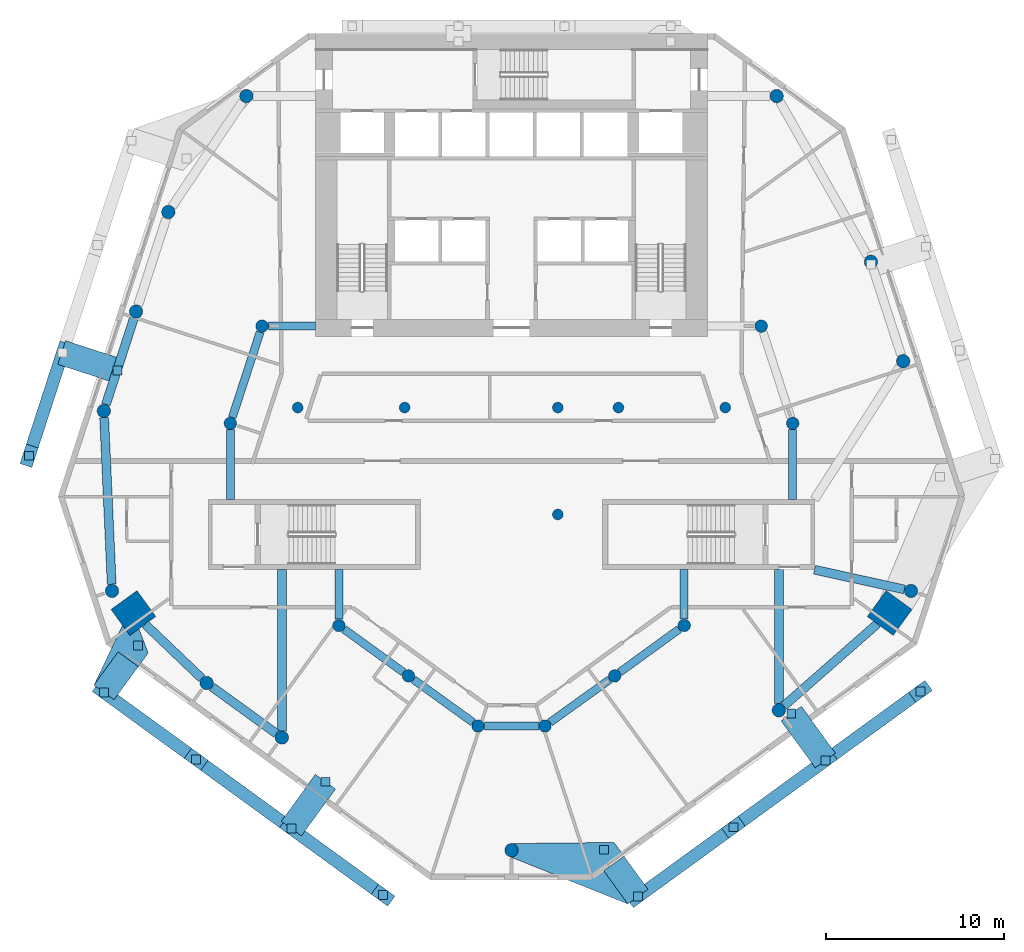
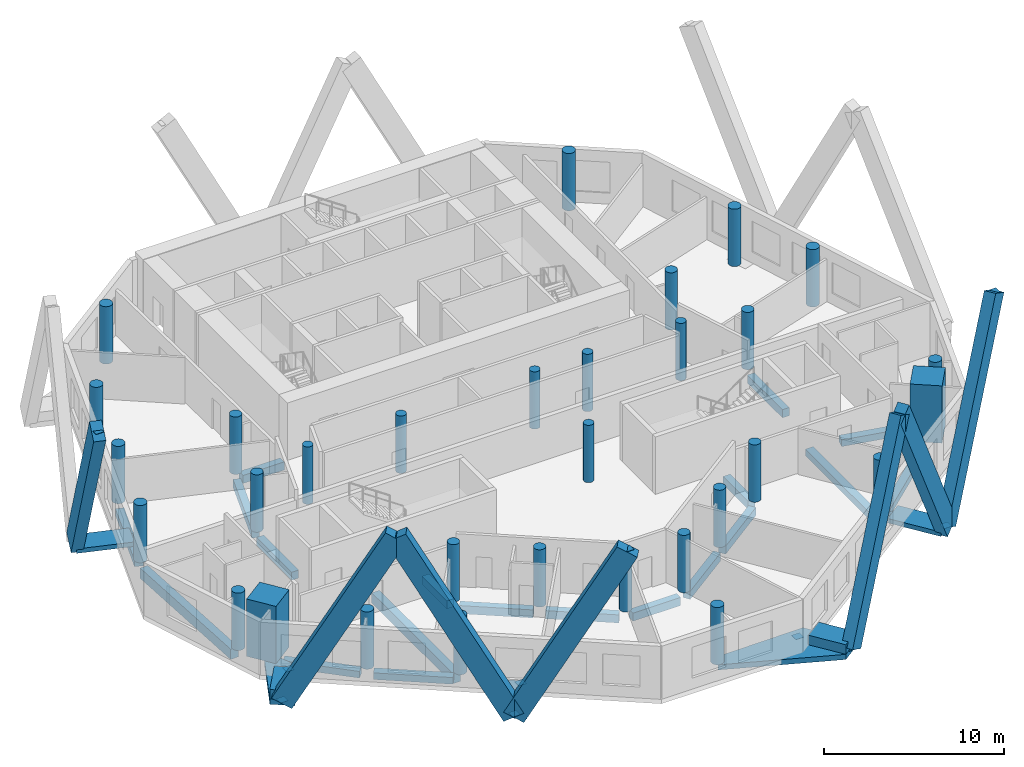
# One storey, part 1 of 9: 31 columns, 19 beams, 14 discrete accessories, 14 members.
"""IFC4 building model written with IfcOpenShell, lengths in metres."""

from ifc_helpers import new_model, si_unit, direction, frame, origin, origin_2d, place, context, subcontext, project, spatial, polyline, rectangle, circle, outline, extrude, material, layer, layer_set, material_profile, profile_set, type_object, element, aggregate, save


model = new_model("IFC4")

# Units and contexts
model_context = context("Model", 3, precision=1e-05, world=origin(), true_north=direction((0.0, 1.0)))
body_context = subcontext(model_context, "Body", "Model", "MODEL_VIEW")
ifc_project = project(units=[si_unit("LENGTHUNIT", "METRE"), si_unit("AREAUNIT", "SQUARE_METRE"), si_unit("VOLUMEUNIT", "CUBIC_METRE"), si_unit("PLANEANGLEUNIT", "RADIAN"), si_unit("MASSUNIT", "GRAM", prefix="KILO")], contexts=[model_context])

# Site, building, storey
site_placement = place(None, origin())
site = spatial("IfcSite", under=ifc_project, at=site_placement, CompositionType="ELEMENT")
building_placement = place(site_placement, origin())
building = spatial("IfcBuilding", under=site, at=building_placement, Name="White Candle Pilgrim Tower", CompositionType="ELEMENT")
storey_placement = place(building_placement, frame((0.0, 0.0, 148.60009765625)))
storey = spatial("IfcBuildingStorey", under=building, at=storey_placement, Name="L33", CompositionType="ELEMENT", Elevation=148.60009765625)

# Columns
ifc_material_1 = material(Name="Concrete C70/85", Category="concrete")
ifc_material_profile_1 = material_profile(ifc_material_1, circle(Radius=0.300048828125, at=origin_2d()), Name="RC-COL D600")
ifc_profile_set_1 = profile_set([ifc_material_profile_1], Name="Concrete C70/85")
column_type_1 = type_object("IfcColumnType", Name="Interior column RC-COL D600 C70/85", PredefinedType="COLUMN", material=ifc_profile_set_1)
for number, where, z_axis, x_axis, name in (
    (1, (58.0, 67.0, 0.0), (0.0, 0.0, 1.0), (1.0, 0.0, 0.0), "L33 column I01"),
    (2, (64.0, 67.0, 0.0), (0.0, 0.0, 1.0), (1.0, 0.0, 0.0), "L33 column I02"),
    (3, (72.60009765625, 61.0, 0.0), (0.0, 0.0, 1.0), (1.0, 0.0, 0.0), "L33 column I03"),
    (4, (72.60009765625, 67.0, 0.0), (0.0, 0.0, 1.0), (1.0, 0.0, 0.0), "L33 column I04"),
    (5, (76.0, 67.0, 0.0), (0.0, 0.0, 1.0), (1.0, 0.0, 0.0), "L33 column I05"),
    (6, (82.0, 67.0, 0.0), (0.0, 0.0, 1.0), (1.0, 0.0, 0.0), "L33 column I06"),
):
    element("IfcColumn", number, at=place(storey_placement, frame(where, z_axis=z_axis, x_axis=x_axis)), inside=storey, type_object=column_type_1, Name=name, PredefinedType="COLUMN", context=body_context, shape_type="SweptSolid", body=[
        extrude(circle(Radius=0.300048828125, at=origin_2d()), origin(), (0.0, 0.0, 1.0), 3.89990234375),
    ])
ifc_material_profile_2 = material_profile(ifc_material_1, rectangle(XDim=1.800048828125, YDim=1.800048828125, at=origin_2d()), Name="RC 1800x1800")
ifc_profile_set_2 = profile_set([ifc_material_profile_2], Name="Concrete C70/85")
column_type_2 = type_object("IfcColumnType", Name="Mega column RC 1800x1800 C70/85", PredefinedType="COLUMN", material=ifc_profile_set_2)
for number, where, z_axis, x_axis, name in (
    (7, (48.780029296875, 55.469970703125, 0.0), (0.0, 0.0, 1.0), (-0.809016994375, -0.587785252292, 0.0), "L33 mega column T02"),
    (8, (91.219970703125, 55.469970703125, 0.0), (0.0, 0.0, 1.0), (0.809016994375, -0.587785252292, 0.0), "L33 mega column T07"),
):
    element("IfcColumn", number, at=place(storey_placement, frame(where, z_axis=z_axis, x_axis=x_axis)), inside=storey, type_object=column_type_2, Name=name, PredefinedType="COLUMN", context=body_context, shape_type="SweptSolid", body=[
        extrude(rectangle(XDim=1.800048828125, YDim=1.800048828125, at=origin_2d()), origin(), (0.0, 0.0, 1.0), 3.89990234375),
    ])
ifc_material_profile_3 = material_profile(ifc_material_1, circle(Radius=0.375, at=origin_2d()), Name="RC-COL D750")
ifc_profile_set_3 = profile_set([ifc_material_profile_3], Name="Concrete C70/85")
column_type_3 = type_object("IfcColumnType", Name="Perimeter column RC-COL D750 C70/85", PredefinedType="COLUMN", material=ifc_profile_set_3)
for number, where, z_axis, x_axis, name in (
    (9, (47.580078125, 56.7099609375, 0.0), (0.0, 0.0, 1.0), (1.0, 0.0, 0.0), "L33 column T01"),
    (10, (52.889892578125, 51.5400390625, 0.0), (0.0, 0.0, 1.0), (1.0, 0.0, 0.0), "L33 column T03"),
    (11, (57.110107421875, 48.47998046875, 0.0), (0.0, 0.0, 1.0), (1.0, 0.0, 0.0), "L33 column T04"),
    (12, (70.0, 42.159912109375, 0.0), (0.0, 0.0, 1.0), (1.0, 0.0, 0.0), "L33 column T05"),
    (13, (85.0, 50.010009765625, 0.0), (0.0, 0.0, 1.0), (1.0, 0.0, 0.0), "L33 column T06"),
    (14, (92.419921875, 56.7099609375, 0.0), (0.0, 0.0, 1.0), (1.0, 0.0, 0.0), "L33 column T08"),
    (15, (91.97998046875, 69.60009765625, 0.0), (0.0, 0.0, 1.0), (1.0, 0.0, 0.0), "L33 column T09"),
    (16, (90.169921875, 75.179931640625, 0.0), (0.0, 0.0, 1.0), (1.0, 0.0, 0.0), "L33 column T10"),
    (17, (84.8798828125, 84.47998046875, 0.0), (0.0, 0.0, 1.0), (1.0, 0.0, 0.0), "L33 column T11"),
    (18, (55.1201171875, 84.47998046875, 0.0), (0.0, 0.0, 1.0), (1.0, 0.0, 0.0), "L33 column T12"),
    (19, (50.739990234375, 77.969970703125, 0.0), (0.0, 0.0, 1.0), (1.0, 0.0, 0.0), "L33 column T13"),
    (20, (48.929931640625, 72.389892578125, 0.0), (0.0, 0.0, 1.0), (1.0, 0.0, 0.0), "L33 column T14"),
    (21, (47.1201171875, 66.81005859375, 0.0), (0.0, 0.0, 1.0), (1.0, 0.0, 0.0), "L33 column T15"),
):
    element("IfcColumn", number, at=place(storey_placement, frame(where, z_axis=z_axis, x_axis=x_axis)), inside=storey, type_object=column_type_3, Name=name, PredefinedType="COLUMN", context=body_context, shape_type="SweptSolid", body=[
        extrude(circle(Radius=0.375, at=origin_2d()), origin(), (0.0, 0.0, 1.0), 3.89990234375),
    ])
ifc_material_profile_4 = material_profile(ifc_material_1, circle(Radius=0.35009765625, at=origin_2d()), Name="RC-COL D700")
ifc_profile_set_4 = profile_set([ifc_material_profile_4], Name="Concrete C70/85")
column_type_4 = type_object("IfcColumnType", Name="Ring column RC-COL D700 C70/85", PredefinedType="COLUMN", material=ifc_profile_set_4)
for number, where, z_axis, x_axis, name in (
    (22, (60.31005859375, 54.77001953125, 0.0), (0.0, 0.0, 1.0), (1.0, 0.0, 0.0), "L33 column R01"),
    (23, (64.219970703125, 51.93994140625, 0.0), (0.0, 0.0, 1.0), (1.0, 0.0, 0.0), "L33 column R02"),
    (24, (68.1201171875, 49.1298828125, 0.0), (0.0, 0.0, 1.0), (1.0, 0.0, 0.0), "L33 column R03"),
    (25, (71.8798828125, 49.1298828125, 0.0), (0.0, 0.0, 1.0), (1.0, 0.0, 0.0), "L33 column R04"),
    (26, (75.7900390625, 51.93994140625, 0.0), (0.0, 0.0, 1.0), (1.0, 0.0, 0.0), "L33 column R05"),
    (27, (79.68994140625, 54.77001953125, 0.0), (0.0, 0.0, 1.0), (1.0, 0.0, 0.0), "L33 column R06"),
    (28, (85.780029296875, 66.110107421875, 0.0), (0.0, 0.0, 1.0), (1.0, 0.0, 0.0), "L33 column R07"),
    (29, (84.010009765625, 71.570068359375, 0.0), (0.0, 0.0, 1.0), (1.0, 0.0, 0.0), "L33 column R08"),
    (30, (56.0, 71.570068359375, 0.0), (0.0, 0.0, 1.0), (1.0, 0.0, 0.0), "L33 column R09"),
    (31, (54.219970703125, 66.110107421875, 0.0), (0.0, 0.0, 1.0), (1.0, 0.0, 0.0), "L33 column R10"),
):
    element("IfcColumn", number, at=place(storey_placement, frame(where, z_axis=z_axis, x_axis=x_axis)), inside=storey, type_object=column_type_4, Name=name, PredefinedType="COLUMN", context=body_context, shape_type="SweptSolid", body=[
        extrude(circle(Radius=0.35009765625, at=origin_2d()), origin(), (0.0, 0.0, 1.0), 3.89990234375),
    ])

# Member
ifc_material_2 = material(Name="Concrete C70/85, white", Category="concrete")
ifc_material_profile_5 = material_profile(ifc_material_2, rectangle(XDim=0.699951171875, YDim=1.300048828125, at=origin_2d()), Name="RC-DG 700x1300")
ifc_profile_set_5 = profile_set([ifc_material_profile_5], Name="Concrete C70/85, white")
member_type_1 = type_object("IfcMemberType", Name="Exoskeleton diagonal RC-DG 700x1300 C70/85", PredefinedType="BRACE", material=ifc_profile_set_5)
member_1_placement = place(storey_placement, frame((77.094970703125, 39.552978515625, 0.0), z_axis=(0.398637219777, 0.289617548303, 0.87017816723), x_axis=(-0.587772839005, 0.809026013011, 0.0)))
member_1 = element("IfcMember", 32, at=member_1_placement, inside=storey, type_object=member_type_1, Name="Exoskeleton diagonal EX145", PredefinedType="BRACE", context=body_context, shape_type="SweptSolid", body=[
    extrude(rectangle(XDim=0.699951171875, YDim=1.300048828125, at=origin_2d()), origin(), (0.0, 0.0, 1.0), 13.445556640625),
])

member_2_placement = place(storey_placement, frame((87.610595703125, 47.193115234375, 0.0), z_axis=(-0.386980267854, -0.281173654226, 0.878172903511), x_axis=(0.58780718855, -0.809001056296, 0.0)))
member_2 = element("IfcMember", 33, at=member_2_placement, inside=storey, type_object=member_type_1, Name="Exoskeleton diagonal EX146", PredefinedType="BRACE", context=body_context, shape_type="SweptSolid", body=[
    extrude(rectangle(XDim=0.699951171875, YDim=1.300048828125, at=origin_2d()), origin(), (0.0, 0.0, 1.0), 13.322998046875),
])

member_3_placement = place(storey_placement, frame((87.610595703125, 47.193115234375, 0.0), z_axis=(0.397412433701, 0.288721541703, 0.871035721941), x_axis=(-0.587764609609, 0.80903199176, 0.0)))
member_3 = element("IfcMember", 34, at=member_3_placement, inside=storey, type_object=member_type_1, Name="Exoskeleton diagonal EX147", PredefinedType="BRACE", context=body_context, shape_type="SweptSolid", body=[
    extrude(rectangle(XDim=0.699951171875, YDim=1.300048828125, at=origin_2d()), origin(), (0.0, 0.0, 1.0), 13.43212890625),
])

member_4_placement = place(storey_placement, frame((47.131591796875, 51.012939453125, 0.0), z_axis=(0.387619123284, -0.281606767494, 0.877752267879), x_axis=(0.587764746935, 0.809031891992, 0.0)))
member_4 = element("IfcMember", 35, at=member_4_placement, inside=storey, type_object=member_type_1, Name="Exoskeleton diagonal EX157", PredefinedType="BRACE", context=body_context, shape_type="SweptSolid", body=[
    extrude(rectangle(XDim=0.699951171875, YDim=1.300048828125, at=origin_2d()), origin(), (0.0, 0.0, 1.0), 13.329345703125),
])

member_5_placement = place(storey_placement, frame((57.647216796875, 43.372802734375, 0.0), z_axis=(-0.398014498618, 0.289195892259, 0.87060335101), x_axis=(-0.587813764125, -0.808996278548, 0.0)))
member_5 = element("IfcMember", 36, at=member_5_placement, inside=storey, type_object=member_type_1, Name="Exoskeleton diagonal EX158", PredefinedType="BRACE", context=body_context, shape_type="SweptSolid", body=[
    extrude(rectangle(XDim=0.699951171875, YDim=1.300048828125, at=origin_2d()), origin(), (0.0, 0.0, 1.0), 13.43896484375),
])

member_6_placement = place(storey_placement, frame((57.647216796875, 43.372802734375, 0.0), z_axis=(0.386362062838, -0.280687253585, 0.878600604413), x_axis=(0.587756174288, 0.809038119983, 0.0)))
member_6 = element("IfcMember", 37, at=member_6_placement, inside=storey, type_object=member_type_1, Name="Exoskeleton diagonal EX159", PredefinedType="BRACE", context=body_context, shape_type="SweptSolid", body=[
    extrude(rectangle(XDim=0.699951171875, YDim=1.300048828125, at=origin_2d()), origin(), (0.0, 0.0, 1.0), 13.316650390625),
])

member_7_placement = place(storey_placement, frame((44.8046875, 70.07373046875, 0.0), z_axis=(-0.142437449306, -0.438404395777, 0.887419381577), x_axis=(0.951062109982, -0.308999778246, 0.0)))
member_7 = element("IfcMember", 38, at=member_7_placement, inside=storey, type_object=member_type_1, Name="Exoskeleton diagonal EX171", PredefinedType="BRACE", context=body_context, shape_type="SweptSolid", body=[
    extrude(rectangle(XDim=0.699951171875, YDim=1.300048828125, at=origin_2d()), origin(), (0.0, 0.0, 1.0), 13.184326171875),
])

ifc_layer_1 = layer(ifc_material_2, 0.300048828125)
ifc_layer_set_1 = layer_set([ifc_layer_1], Name="Node tie strut 3250x1400x300 C70/85")
member_type_2 = type_object("IfcMemberType", Name="Node tie strut 3250x1400x300 C70/85", PredefinedType="STRUT", material=ifc_layer_set_1)
member_8_placement = place(storey_placement, frame((0.0, 0.0, -0.35009765625)))
member_8 = element("IfcMember", 39, at=member_8_placement, inside=storey, type_object=member_type_2, Name="Node tie strut NC105", PredefinedType="STRUT", context=body_context, shape_type="SweptSolid", body=[
    extrude(outline(polyline([(76.528564453125, 39.141357421875), (77.6611328125, 39.96435546875), (75.7509765625, 42.593505859375), (70.0, 42.534912109375), (70.0244140625, 42.5341796875), (70.048828125, 42.53173828125), (70.0732421875, 42.52783203125), (70.09716796875, 42.522216796875), (70.12060546875, 42.51513671875), (70.1435546875, 42.506591796875), (70.166015625, 42.496337890625), (70.1875, 42.48486328125), (70.208251953125, 42.4716796875), (70.228271484375, 42.45751953125), (70.247314453125, 42.44189453125), (70.26513671875, 42.42529296875), (70.281982421875, 42.4072265625), (70.297607421875, 42.38818359375), (70.311767578125, 42.368408203125), (70.32470703125, 42.347412109375), (70.336181640625, 42.325927734375), (70.346435546875, 42.303466796875), (70.35498046875, 42.280517578125), (70.3623046875, 42.257080078125), (70.367919921875, 42.233154296875), (70.371826171875, 42.208984375), (70.374267578125, 42.1845703125), (70.375, 42.159912109375), (70.374267578125, 42.135498046875), (70.371826171875, 42.111083984375), (70.367919921875, 42.0869140625), (70.3623046875, 42.06298828125), (70.35498046875, 42.03955078125), (70.346435546875, 42.0166015625), (70.336181640625, 41.994140625), (70.32470703125, 41.972412109375), (70.311767578125, 41.95166015625), (70.297607421875, 41.931640625), (70.281982421875, 41.91259765625), (70.26513671875, 41.894775390625), (70.247314453125, 41.878173828125), (70.228271484375, 41.862548828125), (70.208251953125, 41.84814453125), (70.1875, 41.835205078125), (70.166015625, 41.82373046875), (70.1435546875, 41.8134765625), (70.12060546875, 41.804931640625), (70.09716796875, 41.7978515625), (70.0732421875, 41.792236328125), (70.048828125, 41.7880859375), (70.0244140625, 41.785888671875), (70.0, 41.784912109375), (69.9755859375, 41.785888671875), (69.951171875, 41.7880859375), (69.9267578125, 41.792236328125), (69.90283203125, 41.7978515625), (69.87939453125, 41.804931640625), (69.8564453125, 41.8134765625), (76.528564453125, 39.141357421875)])), origin(), (0.0, 0.0, 1.0), 0.35009765625),
])

member_9_placement = place(storey_placement, origin())
element("IfcMember", 40, at=member_9_placement, inside=storey, type_object=member_type_2, Name="Node tie strut NC105", PredefinedType="STRUT", context=body_context, shape_type="SweptSolid", body=[
    extrude(outline(polyline([(76.528564453125, 39.141357421875), (77.6611328125, 39.96435546875), (76.309326171875, 41.824951171875), (75.176513671875, 41.002197265625), (76.528564453125, 39.141357421875)])), origin(), (0.0, 0.0, 1.0), 0.64990234375),
])

member_10_placement = place(storey_placement, frame((86.655517578125, 48.507568359375, -0.30029296875), z_axis=(0.0, 0.0, 1.0), x_axis=(0.809016994375, 0.587785252292, 0.0)))
member_10 = element("IfcMember", 41, at=member_10_placement, inside=storey, type_object=member_type_2, Name="Node tie strut NC106", PredefinedType="STRUT", context=body_context, shape_type="SweptSolid", body=[
    extrude(rectangle(XDim=1.39990234375, YDim=3.25, at=origin_2d()), origin(), (0.0, 0.0, 1.0), 0.300048828125),
])

member_11_placement = place(storey_placement, frame((0.0, 0.0, -0.35009765625)))
member_11 = element("IfcMember", 42, at=member_11_placement, inside=storey, type_object=member_type_2, Name="Node tie strut NC107", PredefinedType="STRUT", context=body_context, shape_type="SweptSolid", body=[
    extrude(outline(polyline([(47.697998046875, 50.6015625), (49.6083984375, 53.23095703125), (49.09130859375, 54.583740234375), (48.580810546875, 54.212890625), (48.16796875, 54.78125), (46.565185546875, 51.424560546875), (47.697998046875, 50.6015625)])), origin(), (0.0, 0.0, 1.0), 0.35009765625),
])

member_12_placement = place(storey_placement, origin())
element("IfcMember", 43, at=member_12_placement, inside=storey, type_object=member_type_2, Name="Node tie strut NC107", PredefinedType="STRUT", context=body_context, shape_type="SweptSolid", body=[
    extrude(outline(polyline([(47.697998046875, 50.6015625), (49.0498046875, 52.46240234375), (47.917236328125, 53.28515625), (46.565185546875, 51.424560546875), (47.697998046875, 50.6015625)])), origin(), (0.0, 0.0, 1.0), 0.64990234375),
])

member_13_placement = place(storey_placement, frame((58.602294921875, 44.6875, -0.30029296875), z_axis=(0.0, 0.0, 1.0), x_axis=(0.809016994375, -0.587785252292, 0.0)))
member_13 = element("IfcMember", 44, at=member_13_placement, inside=storey, type_object=member_type_2, Name="Node tie strut NC108", PredefinedType="STRUT", context=body_context, shape_type="SweptSolid", body=[
    extrude(rectangle(XDim=1.39990234375, YDim=3.25, at=origin_2d()), origin(), (0.0, 0.0, 1.0), 0.300048828125),
])

ifc_layer_2 = layer(ifc_material_2, 0.300048828125)
ifc_layer_set_2 = layer_set([ifc_layer_2], Name="Node tie strut 3300x1400x300 C70/85")
member_type_3 = type_object("IfcMemberType", Name="Node tie strut 3300x1400x300 C70/85", PredefinedType="STRUT", material=ifc_layer_set_2)
member_14_placement = place(storey_placement, frame((46.326416015625, 69.579345703125, -0.30029296875), z_axis=(0.0, 0.0, 1.0), x_axis=(-0.309016994375, -0.951056516295, 0.0)))
member_14 = element("IfcMember", 45, at=member_14_placement, inside=storey, type_object=member_type_3, Name="Node tie strut NC110", PredefinedType="STRUT", context=body_context, shape_type="SweptSolid", body=[
    extrude(rectangle(XDim=1.39990234375, YDim=3.300048828125, at=origin_2d()), origin(), (0.0, 0.0, 1.0), 0.300048828125),
])

# Beams
ifc_material_3 = material(Name="Concrete C50/60", Category="concrete")
ifc_material_profile_6 = material_profile(ifc_material_3, rectangle(XDim=0.449951171875, YDim=0.550048828125, at=origin_2d()), Name="RC-BM 450x550")
ifc_profile_set_6 = profile_set([ifc_material_profile_6], Name="Concrete C50/60")
beam_type_1 = type_object("IfcBeamType", Name="Ring beam RC-BM 450x550 C50/60", PredefinedType="BEAM", material=ifc_profile_set_6)
beam_1_placement = place(storey_placement, frame((60.593505859375, 54.56494140625, -0.5751953125), z_axis=(0.810043858436, -0.586369292691, 0.0), x_axis=(0.586369292691, 0.810043858436, 0.0)))
element("IfcBeam", 46, at=beam_1_placement, inside=storey, type_object=beam_type_1, Name="L33 ring beam R01", PredefinedType="BEAM", context=body_context, shape_type="SweptSolid", body=[
    extrude(rectangle(XDim=0.449951171875, YDim=0.550048828125, at=origin_2d()), origin(), (0.0, 0.0, 1.0), 4.126953125),
])
beam_2_placement = place(storey_placement, frame((64.50390625, 51.735595703125, -0.5751953125), z_axis=(0.811316688041, -0.584606903574, 0.0), x_axis=(0.584606903574, 0.811316688041, 0.0)))
element("IfcBeam", 47, at=beam_2_placement, inside=storey, type_object=beam_type_1, Name="L33 ring beam R02", PredefinedType="BEAM", context=body_context, shape_type="SweptSolid", body=[
    extrude(rectangle(XDim=0.449951171875, YDim=0.550048828125, at=origin_2d()), origin(), (0.0, 0.0, 1.0), 4.107177734375),
])
beam_3_placement = place(storey_placement, frame((68.469970703125, 49.1298828125, -0.5751953125), z_axis=(1.0, 0.0, 0.0), x_axis=(0.0, 1.0, 0.0)))
element("IfcBeam", 48, at=beam_3_placement, inside=storey, type_object=beam_type_1, Name="L33 ring beam R03", PredefinedType="BEAM", context=body_context, shape_type="SweptSolid", body=[
    extrude(rectangle(XDim=0.449951171875, YDim=0.550048828125, at=origin_2d()), origin(), (0.0, 0.0, 1.0), 3.06005859375),
])
beam_4_placement = place(storey_placement, frame((72.1640625, 49.333984375, -0.5751953125), z_axis=(0.812022399974, 0.583626269063, 0.0), x_axis=(-0.583626269063, 0.812022399974, 0.0)))
element("IfcBeam", 49, at=beam_4_placement, inside=storey, type_object=beam_type_1, Name="L33 ring beam R04", PredefinedType="BEAM", context=body_context, shape_type="SweptSolid", body=[
    extrude(rectangle(XDim=0.449951171875, YDim=0.550048828125, at=origin_2d()), origin(), (0.0, 0.0, 1.0), 4.115478515625),
])
beam_5_placement = place(storey_placement, frame((76.072998046875, 52.1455078125, -0.5751953125), z_axis=(0.809401961177, 0.587255025728, 0.0), x_axis=(-0.587255025728, 0.809401961177, 0.0)))
element("IfcBeam", 50, at=beam_5_placement, inside=storey, type_object=beam_type_1, Name="L33 ring beam R05", PredefinedType="BEAM", context=body_context, shape_type="SweptSolid", body=[
    extrude(rectangle(XDim=0.449951171875, YDim=0.550048828125, at=origin_2d()), origin(), (0.0, 0.0, 1.0), 4.119140625),
])
beam_6_placement = place(storey_placement, frame((79.68994140625, 55.1201171875, -0.5751953125), z_axis=(0.0, 1.0, 0.0), x_axis=(-1.0, 0.0, 0.0)))
element("IfcBeam", 51, at=beam_6_placement, inside=storey, type_object=beam_type_1, Name="L33 ring beam R06", PredefinedType="BEAM", context=body_context, shape_type="SweptSolid", body=[
    extrude(rectangle(XDim=0.449951171875, YDim=0.550048828125, at=origin_2d()), origin(), (0.0, 0.0, 1.0), 2.77978515625),
])
beam_7_placement = place(storey_placement, frame((85.780029296875, 65.760009765625, -0.5751953125), z_axis=(0.0, -1.0, 0.0), x_axis=(1.0, 0.0, 0.0)))
element("IfcBeam", 52, at=beam_7_placement, inside=storey, type_object=beam_type_1, Name="L33 ring beam R07", PredefinedType="BEAM", context=body_context, shape_type="SweptSolid", body=[
    extrude(rectangle(XDim=0.449951171875, YDim=0.550048828125, at=origin_2d()), origin(), (0.0, 0.0, 1.0), 3.909912109375),
])
beam_8_placement = place(storey_placement, frame((56.35009765625, 71.570068359375, -0.5751953125), z_axis=(1.0, 0.0, 0.0), x_axis=(0.0, 1.0, 0.0)))
element("IfcBeam", 53, at=beam_8_placement, inside=storey, type_object=beam_type_1, Name="L33 ring beam R10", PredefinedType="BEAM", context=body_context, shape_type="SweptSolid", body=[
    extrude(rectangle(XDim=0.449951171875, YDim=0.550048828125, at=origin_2d()), origin(), (0.0, 0.0, 1.0), 2.64990234375),
])
beam_9_placement = place(storey_placement, frame((55.8916015625, 71.2373046875, -0.5751953125), z_axis=(-0.309975890104, -0.950744417577, 0.0), x_axis=(0.950744417577, -0.309975890104, 0.0)))
element("IfcBeam", 54, at=beam_9_placement, inside=storey, type_object=beam_type_1, Name="L33 ring beam R11", PredefinedType="BEAM", context=body_context, shape_type="SweptSolid", body=[
    extrude(rectangle(XDim=0.449951171875, YDim=0.550048828125, at=origin_2d()), origin(), (0.0, 0.0, 1.0), 5.04296875),
])
beam_10_placement = place(storey_placement, frame((54.219970703125, 65.760009765625, -0.5751953125), z_axis=(0.0, -1.0, 0.0), x_axis=(1.0, 0.0, 0.0)))
element("IfcBeam", 55, at=beam_10_placement, inside=storey, type_object=beam_type_1, Name="L33 ring beam R12", PredefinedType="BEAM", context=body_context, shape_type="SweptSolid", body=[
    extrude(rectangle(XDim=0.449951171875, YDim=0.550048828125, at=origin_2d()), origin(), (0.0, 0.0, 1.0), 3.909912109375),
])
beam_11_placement = place(storey_placement, frame((60.31005859375, 55.1201171875, -0.5751953125), z_axis=(0.0, 1.0, 0.0), x_axis=(-1.0, 0.0, 0.0)))
element("IfcBeam", 56, at=beam_11_placement, inside=storey, type_object=beam_type_1, Name="L33 ring beam R13", PredefinedType="BEAM", context=body_context, shape_type="SweptSolid", body=[
    extrude(rectangle(XDim=0.449951171875, YDim=0.550048828125, at=origin_2d()), origin(), (0.0, 0.0, 1.0), 2.77978515625),
])
ifc_material_profile_7 = material_profile(ifc_material_3, rectangle(XDim=0.5, YDim=0.449951171875, at=origin_2d()), Name="RC-BM 500x450")
ifc_profile_set_7 = profile_set([ifc_material_profile_7], Name="Concrete C50/60")
beam_type_2 = type_object("IfcBeamType", Name="Spandrel beam RC-BM 500x450 C50/60", PredefinedType="BEAM", material=ifc_profile_set_7)
beam_12_placement = place(storey_placement, frame((49.441162109375, 54.837890625, -0.525146484375), z_axis=(0.722753991569, -0.691105395487, 0.0), x_axis=(0.691105395487, 0.722753991569, 0.0)))
element("IfcBeam", 57, at=beam_12_placement, inside=storey, type_object=beam_type_2, Name="L33 spandrel beam T01", PredefinedType="BEAM", context=body_context, shape_type="SweptSolid", body=[
    extrude(rectangle(XDim=0.5, YDim=0.449951171875, at=origin_2d()), origin(), (0.0, 0.0, 1.0), 4.39697265625),
])
beam_13_placement = place(storey_placement, frame((53.193359375, 51.320068359375, -0.525146484375), z_axis=(0.809558451789, -0.587039277338, 0.0), x_axis=(0.587039277338, 0.809558451789, 0.0)))
element("IfcBeam", 58, at=beam_13_placement, inside=storey, type_object=beam_type_2, Name="L33 spandrel beam T02", PredefinedType="BEAM", context=body_context, shape_type="SweptSolid", body=[
    extrude(rectangle(XDim=0.5, YDim=0.449951171875, at=origin_2d()), origin(), (0.0, 0.0, 1.0), 4.46337890625),
])
beam_14_placement = place(storey_placement, frame((85.0, 50.385009765625, -0.525146484375), z_axis=(0.0, 1.0, 0.0), x_axis=(-1.0, 0.0, 0.0)))
element("IfcBeam", 59, at=beam_14_placement, inside=storey, type_object=beam_type_2, Name="L33 spandrel beam T04", PredefinedType="BEAM", context=body_context, shape_type="SweptSolid", body=[
    extrude(rectangle(XDim=0.5, YDim=0.449951171875, at=origin_2d()), origin(), (0.0, 0.0, 1.0), 7.514892578125),
])
beam_15_placement = place(storey_placement, frame((85.28173828125, 50.25732421875, -0.525146484375), z_axis=(0.751529055224, 0.65969999178, 0.0), x_axis=(-0.65969999178, 0.751529055224, 0.0)))
element("IfcBeam", 60, at=beam_15_placement, inside=storey, type_object=beam_type_2, Name="L33 spandrel beam T05", PredefinedType="BEAM", context=body_context, shape_type="SweptSolid", body=[
    extrude(rectangle(XDim=0.5, YDim=0.449951171875, at=origin_2d()), origin(), (0.0, 0.0, 1.0), 6.97900390625),
])
beam_16_placement = place(storey_placement, frame((92.053955078125, 56.790283203125, -0.525146484375), z_axis=(-0.976735666267, 0.214446819148, 0.0), x_axis=(-0.214446819148, -0.976735666267, 0.0)))
element("IfcBeam", 61, at=beam_16_placement, inside=storey, type_object=beam_type_2, Name="L33 spandrel beam T06", PredefinedType="BEAM", context=body_context, shape_type="SweptSolid", body=[
    extrude(rectangle(XDim=0.5, YDim=0.449951171875, at=origin_2d()), origin(), (0.0, 0.0, 1.0), 5.17431640625),
])
beam_17_placement = place(storey_placement, frame((48.814208984375, 72.033447265625, -0.525146484375), z_axis=(-0.308530369215, -0.951214492779, 0.0), x_axis=(0.951214492779, -0.308530369215, 0.0)))
element("IfcBeam", 62, at=beam_17_placement, inside=storey, type_object=beam_type_2, Name="L33 spandrel beam T14", PredefinedType="BEAM", context=body_context, shape_type="SweptSolid", body=[
    extrude(rectangle(XDim=0.5, YDim=0.449951171875, at=origin_2d()), origin(), (0.0, 0.0, 1.0), 5.116455078125),
])
ifc_material_profile_8 = material_profile(ifc_material_3, rectangle(XDim=0.5, YDim=0.699951171875, at=origin_2d()), Name="RC-BM 500x700")
ifc_profile_set_8 = profile_set([ifc_material_profile_8], Name="Concrete C50/60")
beam_type_3 = type_object("IfcBeamType", Name="Spandrel beam RC-BM 500x700 C50/60", PredefinedType="BEAM", material=ifc_profile_set_8)
beam_18_placement = place(storey_placement, frame((57.110107421875, 48.85498046875, -0.650146484375), z_axis=(0.0, 1.0, 0.0), x_axis=(-1.0, 0.0, 0.0)))
element("IfcBeam", 63, at=beam_18_placement, inside=storey, type_object=beam_type_3, Name="L33 spandrel beam T03", PredefinedType="BEAM", context=body_context, shape_type="SweptSolid", body=[
    extrude(rectangle(XDim=0.5, YDim=0.699951171875, at=origin_2d()), origin(), (0.0, 0.0, 1.0), 9.044921875),
])
beam_19_placement = place(storey_placement, frame((47.13720703125, 66.435546875, -0.650146484375), z_axis=(0.045485743277, -0.998964987954, 0.0), x_axis=(0.998964987954, 0.045485743277, 0.0)))
element("IfcBeam", 64, at=beam_19_placement, inside=storey, type_object=beam_type_3, Name="L33 spandrel beam T15", PredefinedType="BEAM", context=body_context, shape_type="SweptSolid", body=[
    extrude(rectangle(XDim=0.5, YDim=0.699951171875, at=origin_2d()), origin(), (0.0, 0.0, 1.0), 9.36083984375),
])

# Discrete accessory
ifc_material_4 = material(Name="Steel S355", Category="steel")
ifc_layer_3 = layer(ifc_material_4, 0.02490234375)
ifc_layer_set_3 = layer_set([ifc_layer_3], Name="Gusset plate 500x500x25 S355")
discrete_accessory_type = type_object("IfcDiscreteAccessoryType", Name="Gusset plate 500x500x25 S355", PredefinedType="BRACKET", material=ifc_layer_set_3)
discrete_accessory_1_placement = place(storey_placement, frame((77.094970703125, 39.552978515625, -0.012451171875), z_axis=(0.0, 0.0, 1.0), x_axis=(1.0, 0.0, 0.0)))
discrete_accessory_1 = element("IfcDiscreteAccessory", 65, at=discrete_accessory_1_placement, type_object=discrete_accessory_type, Name="Gusset plate 0161", PredefinedType="BRACKET", context=body_context, shape_type="SweptSolid", body=[
    extrude(rectangle(XDim=0.5, YDim=0.5, at=origin_2d()), origin(), (0.0, 0.0, 1.0), 0.02490234375),
])

placement = place(building_placement, frame((0.0, 0.0, 160.300048828125)))
discrete_accessory_2_placement = place(placement, frame((82.454833984375, 43.447021484375, -0.012451171875), z_axis=(0.0, 0.0, 1.0), x_axis=(1.0, 0.0, 0.0)))
discrete_accessory_2 = element("IfcDiscreteAccessory", 66, at=discrete_accessory_2_placement, type_object=discrete_accessory_type, Name="Gusset plate 0162", PredefinedType="BRACKET", context=body_context, shape_type="SweptSolid", body=[
    extrude(rectangle(XDim=0.5, YDim=0.5, at=origin_2d()), origin(), (0.0, 0.0, 1.0), 0.02490234375),
])

aggregate(member_1, [discrete_accessory_1, discrete_accessory_2])

discrete_accessory_3_placement = place(storey_placement, frame((87.610595703125, 47.193115234375, -0.012451171875), z_axis=(0.0, 0.0, 1.0), x_axis=(1.0, 0.0, 0.0)))
discrete_accessory_3 = element("IfcDiscreteAccessory", 67, at=discrete_accessory_3_placement, type_object=discrete_accessory_type, Name="Gusset plate 0163", PredefinedType="BRACKET", context=body_context, shape_type="SweptSolid", body=[
    extrude(rectangle(XDim=0.5, YDim=0.5, at=origin_2d()), origin(), (0.0, 0.0, 1.0), 0.02490234375),
])

aggregate(member_2, [discrete_accessory_3])

discrete_accessory_4_placement = place(placement, frame((92.94873046875, 51.0712890625, -0.012451171875), z_axis=(0.0, 0.0, 1.0), x_axis=(1.0, 0.0, 0.0)))
discrete_accessory_4 = element("IfcDiscreteAccessory", 68, at=discrete_accessory_4_placement, type_object=discrete_accessory_type, Name="Gusset plate 0164", PredefinedType="BRACKET", context=body_context, shape_type="SweptSolid", body=[
    extrude(rectangle(XDim=0.5, YDim=0.5, at=origin_2d()), origin(), (0.0, 0.0, 1.0), 0.02490234375),
])

aggregate(member_3, [discrete_accessory_4])

discrete_accessory_5_placement = place(storey_placement, frame((47.131591796875, 51.012939453125, -0.012451171875), z_axis=(0.0, 0.0, 1.0), x_axis=(1.0, 0.0, 0.0)))
discrete_accessory_5 = element("IfcDiscreteAccessory", 69, at=discrete_accessory_5_placement, type_object=discrete_accessory_type, Name="Gusset plate 0177", PredefinedType="BRACKET", context=body_context, shape_type="SweptSolid", body=[
    extrude(rectangle(XDim=0.5, YDim=0.5, at=origin_2d()), origin(), (0.0, 0.0, 1.0), 0.02490234375),
])

discrete_accessory_6_placement = place(placement, frame((52.29833984375, 47.25927734375, -0.012451171875), z_axis=(0.0, 0.0, 1.0), x_axis=(1.0, 0.0, 0.0)))
discrete_accessory_6 = element("IfcDiscreteAccessory", 70, at=discrete_accessory_6_placement, type_object=discrete_accessory_type, Name="Gusset plate 0178", PredefinedType="BRACKET", context=body_context, shape_type="SweptSolid", body=[
    extrude(rectangle(XDim=0.5, YDim=0.5, at=origin_2d()), origin(), (0.0, 0.0, 1.0), 0.02490234375),
])

aggregate(member_4, [discrete_accessory_5, discrete_accessory_6])

discrete_accessory_7_placement = place(storey_placement, frame((57.647216796875, 43.372802734375, -0.012451171875), z_axis=(0.0, 0.0, 1.0), x_axis=(1.0, 0.0, 0.0)))
discrete_accessory_7 = element("IfcDiscreteAccessory", 71, at=discrete_accessory_7_placement, type_object=discrete_accessory_type, Name="Gusset plate 0179", PredefinedType="BRACKET", context=body_context, shape_type="SweptSolid", body=[
    extrude(rectangle(XDim=0.5, YDim=0.5, at=origin_2d()), origin(), (0.0, 0.0, 1.0), 0.02490234375),
])

aggregate(member_5, [discrete_accessory_7])

discrete_accessory_8_placement = place(placement, frame((62.792236328125, 39.635009765625, -0.012451171875), z_axis=(0.0, 0.0, 1.0), x_axis=(1.0, 0.0, 0.0)))
discrete_accessory_8 = element("IfcDiscreteAccessory", 72, at=discrete_accessory_8_placement, type_object=discrete_accessory_type, Name="Gusset plate 0180", PredefinedType="BRACKET", context=body_context, shape_type="SweptSolid", body=[
    extrude(rectangle(XDim=0.5, YDim=0.5, at=origin_2d()), origin(), (0.0, 0.0, 1.0), 0.02490234375),
])

aggregate(member_6, [discrete_accessory_8])

discrete_accessory_9_placement = place(placement, frame((42.9267578125, 64.293701171875, -0.012451171875), z_axis=(0.0, 0.0, 1.0), x_axis=(1.0, 0.0, 0.0)))
discrete_accessory_9 = element("IfcDiscreteAccessory", 73, at=discrete_accessory_9_placement, type_object=discrete_accessory_type, Name="Gusset plate 0196", PredefinedType="BRACKET", context=body_context, shape_type="SweptSolid", body=[
    extrude(rectangle(XDim=0.5, YDim=0.5, at=origin_2d()), origin(), (0.0, 0.0, 1.0), 0.02490234375),
])

aggregate(member_7, [discrete_accessory_9])

discrete_accessory_10_placement = place(storey_placement, frame((75.1845703125, 42.18212890625, -0.16259765625), z_axis=(0.0, 0.0, 1.0), x_axis=(1.0, 0.0, 0.0)))
discrete_accessory_10 = element("IfcDiscreteAccessory", 74, at=discrete_accessory_10_placement, type_object=discrete_accessory_type, Name="Gusset plate 0486", PredefinedType="BRACKET", context=body_context, shape_type="SweptSolid", body=[
    extrude(rectangle(XDim=0.5, YDim=0.5, at=origin_2d()), origin(), (0.0, 0.0, 1.0), 0.02490234375),
])

aggregate(member_8, [discrete_accessory_10])

discrete_accessory_11_placement = place(storey_placement, frame((85.7001953125, 49.822265625, -0.16259765625), z_axis=(0.0, 0.0, 1.0), x_axis=(1.0, 0.0, 0.0)))
discrete_accessory_11 = element("IfcDiscreteAccessory", 75, at=discrete_accessory_11_placement, type_object=discrete_accessory_type, Name="Gusset plate 0487", PredefinedType="BRACKET", context=body_context, shape_type="SweptSolid", body=[
    extrude(rectangle(XDim=0.5, YDim=0.5, at=origin_2d()), origin(), (0.0, 0.0, 1.0), 0.02490234375),
])

aggregate(member_10, [discrete_accessory_11])

discrete_accessory_12_placement = place(storey_placement, frame((49.0419921875, 53.642333984375, -0.16259765625), z_axis=(0.0, 0.0, 1.0), x_axis=(1.0, 0.0, 0.0)))
discrete_accessory_12 = element("IfcDiscreteAccessory", 76, at=discrete_accessory_12_placement, type_object=discrete_accessory_type, Name="Gusset plate 0488", PredefinedType="BRACKET", context=body_context, shape_type="SweptSolid", body=[
    extrude(rectangle(XDim=0.5, YDim=0.5, at=origin_2d()), origin(), (0.0, 0.0, 1.0), 0.02490234375),
])

aggregate(member_11, [discrete_accessory_12])

discrete_accessory_13_placement = place(storey_placement, frame((59.5576171875, 46.002197265625, -0.16259765625), z_axis=(0.0, 0.0, 1.0), x_axis=(1.0, 0.0, 0.0)))
discrete_accessory_13 = element("IfcDiscreteAccessory", 77, at=discrete_accessory_13_placement, type_object=discrete_accessory_type, Name="Gusset plate 0489", PredefinedType="BRACKET", context=body_context, shape_type="SweptSolid", body=[
    extrude(rectangle(XDim=0.5, YDim=0.5, at=origin_2d()), origin(), (0.0, 0.0, 1.0), 0.02490234375),
])

aggregate(member_13, [discrete_accessory_13])

discrete_accessory_14_placement = place(storey_placement, frame((47.895751953125, 69.069580078125, -0.16259765625), z_axis=(0.0, 0.0, 1.0), x_axis=(1.0, 0.0, 0.0)))
discrete_accessory_14 = element("IfcDiscreteAccessory", 78, at=discrete_accessory_14_placement, type_object=discrete_accessory_type, Name="Gusset plate 0491", PredefinedType="BRACKET", context=body_context, shape_type="SweptSolid", body=[
    extrude(rectangle(XDim=0.5, YDim=0.5, at=origin_2d()), origin(), (0.0, 0.0, 1.0), 0.02490234375),
])

aggregate(member_14, [discrete_accessory_14])

save(model, "model.ifc")
